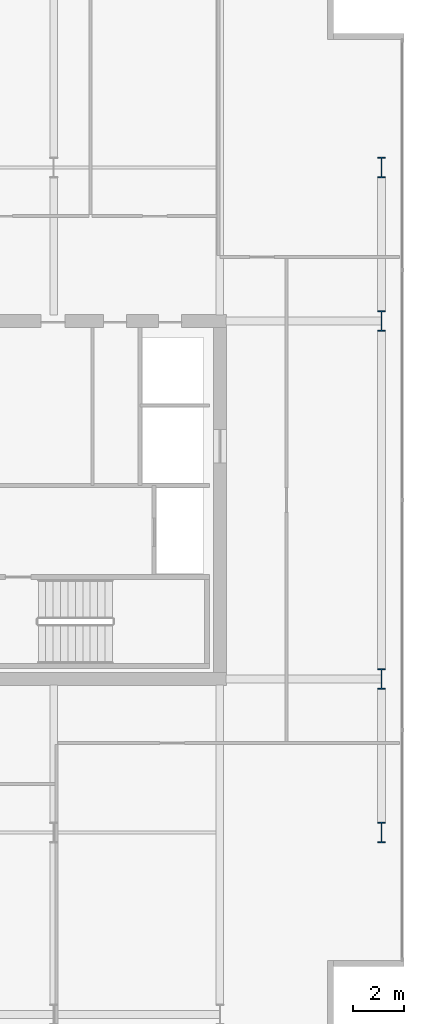
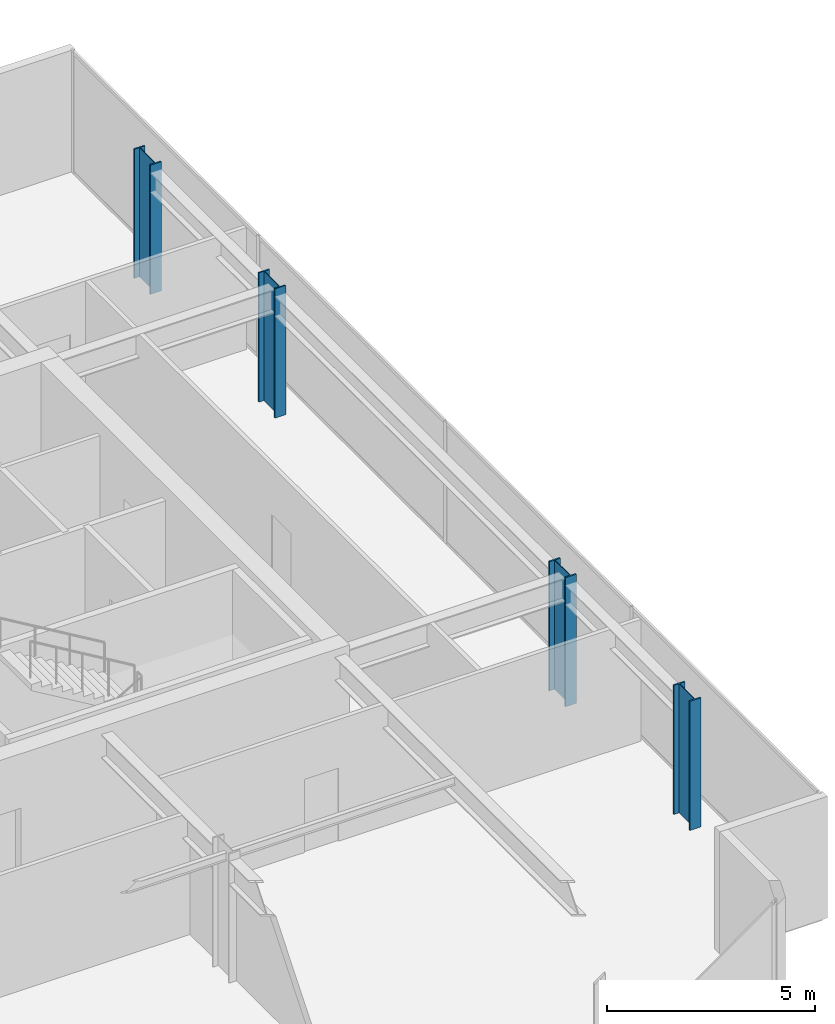
# One storey, part 2 of 23: 4 columns.
"""IFC4 building model written with IfcOpenShell, lengths in metres."""

from ifc_helpers import new_model, si_unit, direction, frame, origin, origin_2d, place, context, subcontext, project, spatial, i_section, extrude, material, material_profile, profile_set, type_object, element, save


model = new_model("IFC4")

# Units and contexts
model_context = context("Model", 3, precision=1e-05, world=origin(), true_north=direction((0.0, 1.0)))
body_context = subcontext(model_context, "Body", "Model", "MODEL_VIEW")
ifc_project = project(units=[si_unit("LENGTHUNIT", "METRE"), si_unit("AREAUNIT", "SQUARE_METRE"), si_unit("VOLUMEUNIT", "CUBIC_METRE"), si_unit("PLANEANGLEUNIT", "RADIAN"), si_unit("MASSUNIT", "GRAM", prefix="KILO")], contexts=[model_context])

# Site, building, storey
site_placement = place(None, origin())
site = spatial("IfcSite", under=ifc_project, at=site_placement, CompositionType="ELEMENT")
building_placement = place(site_placement, origin())
building = spatial("IfcBuilding", under=site, at=building_placement, Name="Putna Gate Headquarters", CompositionType="ELEMENT")
storey_placement = place(building_placement, frame((0.0, 0.0, 232.800048828125)))
storey = spatial("IfcBuildingStorey", under=building, at=storey_placement, Name="L58", CompositionType="ELEMENT", Elevation=232.800048828125)

# Columns
ifc_material = material(Name="Steel S460M", Category="steel")
ifc_material_profile = material_profile(ifc_material, i_section(OverallWidth=0.302978515625, OverallDepth=0.81396484375, WebThickness=0.02099609375, FlangeThickness=0.0400390625, at=origin_2d()), Name="Steel S460M")
ifc_profile_set = profile_set([ifc_material_profile], Name="Steel S460M")
column_type = type_object("IfcColumnType", Name="COL-STL-HEM800-EXT", PredefinedType="COLUMN", material=ifc_profile_set)
for number, where, z_axis, x_axis, name in (
    (1, (71.320068359375, 13.0, 0.0), (0.0, 0.0, 1.0), (1.0, 0.0, 0.0), "L58 Column CP-E13"),
    (2, (71.320068359375, 19.0, 0.0), (0.0, 0.0, 1.0), (1.0, 0.0, 0.0), "L58 Column CP-E19"),
    (3, (71.320068359375, 33.0, 0.0), (0.0, 0.0, 1.0), (1.0, 0.0, 0.0), "L58 Column CP-E33"),
    (4, (71.320068359375, 39.0, 0.0), (0.0, 0.0, 1.0), (1.0, 0.0, 0.0), "L58 Column CP-E39"),
):
    element("IfcColumn", number, at=place(storey_placement, frame(where, z_axis=z_axis, x_axis=x_axis)), inside=storey, type_object=column_type, Name=name, PredefinedType="COLUMN", context=body_context, shape_type="SweptSolid", body=[
        extrude(i_section(OverallWidth=0.302978515625, OverallDepth=0.81396484375, WebThickness=0.02099609375, FlangeThickness=0.0400390625, at=origin_2d()), origin(), (0.0, 0.0, 1.0), 3.800048828125),
    ])

save(model, "model.ifc")
